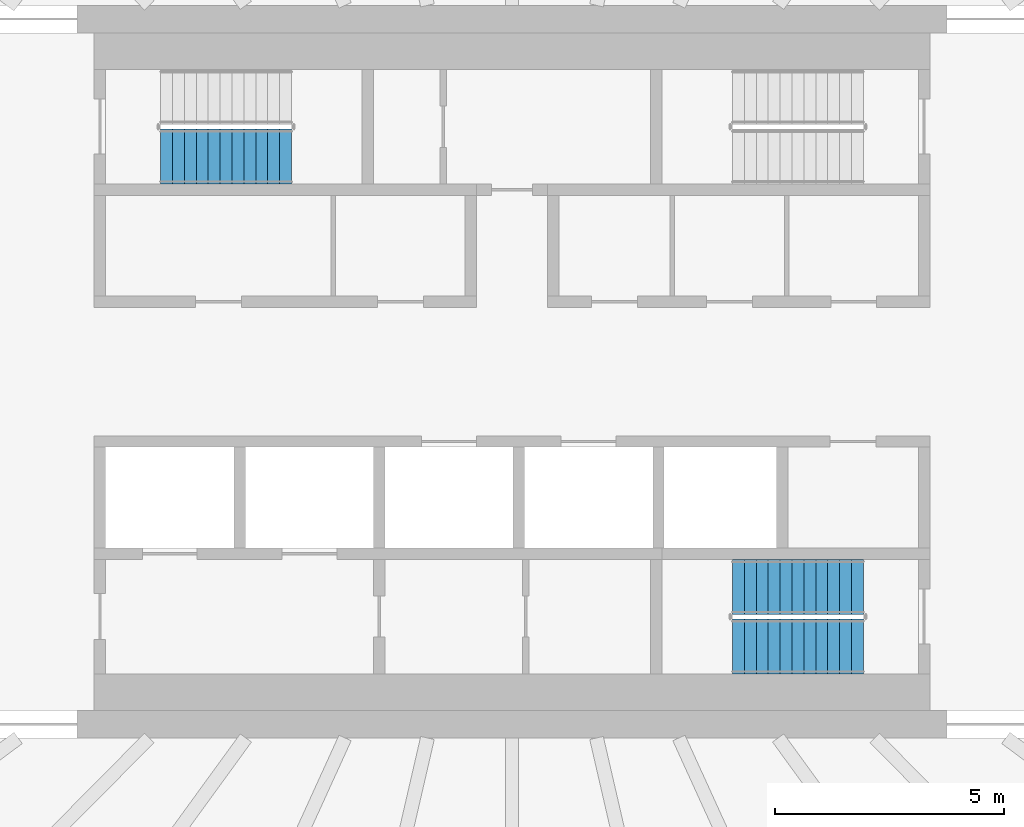
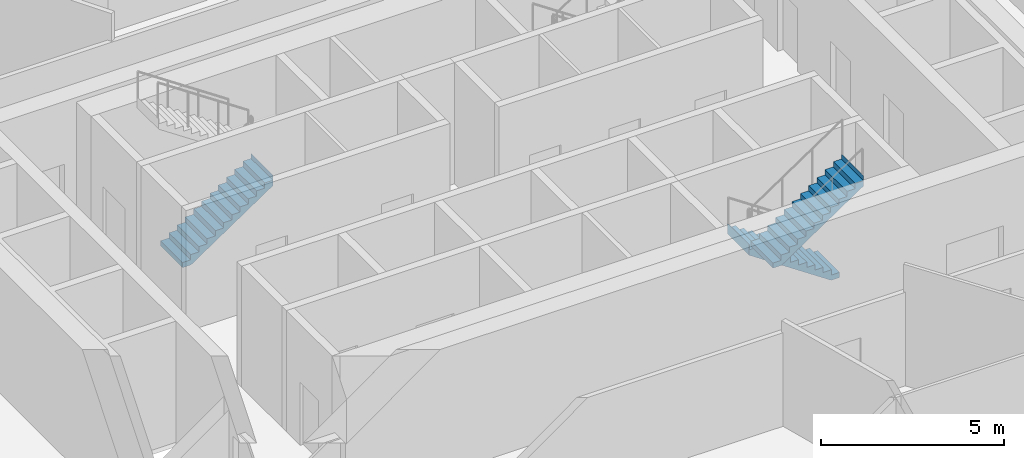
# One storey, part 17 of 24: 3 stair flights, 2 elements without a shape of their own.
"""IFC4 building model written with IfcOpenShell, lengths in metres."""

from ifc_helpers import new_model, si_unit, direction, frame, origin, place, context, subcontext, project, spatial, triangles, material, type_object, element, aggregate, save


model = new_model("IFC4")

# Units and contexts
model_context = context("Model", 3, precision=1e-05, world=origin(), true_north=direction((0.0, 1.0)))
body_context = subcontext(model_context, "Body", "Model", "MODEL_VIEW")
ifc_project = project(units=[si_unit("LENGTHUNIT", "METRE"), si_unit("AREAUNIT", "SQUARE_METRE"), si_unit("VOLUMEUNIT", "CUBIC_METRE"), si_unit("PLANEANGLEUNIT", "RADIAN"), si_unit("MASSUNIT", "GRAM", prefix="KILO")], contexts=[model_context])

# Site, building, storey
site_placement = place(None, origin())
site = spatial("IfcSite", under=ifc_project, at=site_placement, CompositionType="ELEMENT")
building_placement = place(site_placement, origin())
building = spatial("IfcBuilding", under=site, at=building_placement, Name="Sahrelin Media Tower", CompositionType="ELEMENT")
storey_placement = place(building_placement, frame((0.0, 0.0, 118.800048828125)))
storey = spatial("IfcBuildingStorey", under=building, at=storey_placement, Name="L23", CompositionType="ELEMENT", Elevation=118.800048828125)

# Stair, stair flight
ifc_material = material(Name="Concrete C40/50", Category="concrete")
stair_type = type_object("IfcStairType", Name="Exit stair 1200", PredefinedType="HALF_TURN_STAIR", material=ifc_material)
placement = place(storey_placement, origin())
stair_1 = element("IfcStair", 1, at=placement, inside=storey, type_object=stair_type, Name="L23 Exit stair ST1", PredefinedType="HALF_TURN_STAIR")
stair_flight_type = type_object("IfcStairFlightType", Name="Stair flight 1200", PredefinedType="STRAIGHT", material=ifc_material)
stair_flight_1_placement = place(storey_placement, frame((-7.675048828125, 4.699951171875, 0.0), z_axis=(0.0, 0.0, 1.0), x_axis=(1.0, 0.0, 0.0)))
stair_flight_1 = element("IfcStairFlight", 2, at=stair_flight_1_placement, type_object=stair_flight_type, Name="ST1 flight 1", NumberOfRisers=12, NumberOfTreads=11, PredefinedType="STRAIGHT", RiserHeight=0.175, TreadLength=0.26, context=body_context, shape_type="Tessellation", body=[
    triangles([(0.2685546875, 0.60009765625, 0.0), (0.2685546875, 0.300048828125, 0.0), (0.2685546875, 0.0, 0.0), (0.2685546875, -0.300048828125, 0.0), (0.2685546875, -0.60009765625, 0.0), (2.860107421875, 0.60009765625, 1.744384765625), (2.860107421875, 0.300048828125, 1.744384765625), (2.860107421875, 0.0, 1.744384765625), (2.860107421875, -0.300048828125, 1.744384765625), (2.860107421875, -0.60009765625, 1.744384765625), (2.860107421875, 0.60009765625, 2.10009765625), (2.860107421875, 0.300048828125, 2.10009765625), (2.860107421875, 0.0, 2.10009765625), (2.860107421875, -0.300048828125, 2.10009765625), (2.860107421875, -0.60009765625, 2.10009765625), (2.85791015625, 0.60009765625, 2.10009765625), (2.85791015625, 0.300048828125, 2.10009765625), (2.85791015625, 0.0, 2.10009765625), (2.85791015625, -0.300048828125, 2.10009765625), (2.85791015625, -0.60009765625, 2.10009765625), (2.85791015625, 0.60009765625, 1.925048828125), (2.85791015625, 0.300048828125, 1.925048828125), (2.85791015625, 0.0, 1.925048828125), (2.85791015625, -0.300048828125, 1.925048828125), (2.85791015625, -0.60009765625, 1.925048828125), (2.60009765625, 0.60009765625, 1.925048828125), (2.60009765625, 0.300048828125, 1.925048828125), (2.60009765625, 0.0, 1.925048828125), (2.60009765625, -0.300048828125, 1.925048828125), (2.60009765625, -0.60009765625, 1.925048828125), (2.60009765625, 0.60009765625, 1.75), (2.60009765625, 0.300048828125, 1.75), (2.60009765625, 0.0, 1.75), (2.60009765625, -0.300048828125, 1.75), (2.60009765625, -0.60009765625, 1.75), (2.340087890625, 0.60009765625, 1.75), (2.340087890625, 0.300048828125, 1.75), (2.340087890625, 0.0, 1.75), (2.340087890625, -0.300048828125, 1.75), (2.340087890625, -0.60009765625, 1.75), (2.340087890625, 0.60009765625, 1.574951171875), (2.340087890625, 0.300048828125, 1.574951171875), (2.340087890625, 0.0, 1.574951171875), (2.340087890625, -0.300048828125, 1.574951171875), (2.340087890625, -0.60009765625, 1.574951171875), (2.080078125, 0.60009765625, 1.574951171875), (2.080078125, 0.300048828125, 1.574951171875), (2.080078125, 0.0, 1.574951171875), (2.080078125, -0.300048828125, 1.574951171875), (2.080078125, -0.60009765625, 1.574951171875), (2.080078125, 0.60009765625, 1.39990234375), (2.080078125, 0.300048828125, 1.39990234375), (2.080078125, 0.0, 1.39990234375), (2.080078125, -0.300048828125, 1.39990234375), (2.080078125, -0.60009765625, 1.39990234375), (1.820068359375, 0.60009765625, 1.39990234375), (1.820068359375, 0.300048828125, 1.39990234375), (1.820068359375, 0.0, 1.39990234375), (1.820068359375, -0.300048828125, 1.39990234375), (1.820068359375, -0.60009765625, 1.39990234375), (1.820068359375, 0.60009765625, 1.22509765625), (1.820068359375, 0.300048828125, 1.22509765625), (1.820068359375, 0.0, 1.22509765625), (1.820068359375, -0.300048828125, 1.22509765625), (1.820068359375, -0.60009765625, 1.22509765625), (1.56005859375, 0.60009765625, 1.22509765625), (1.56005859375, 0.300048828125, 1.22509765625), (1.56005859375, 0.0, 1.22509765625), (1.56005859375, -0.300048828125, 1.22509765625), (1.56005859375, -0.60009765625, 1.22509765625), (1.56005859375, 0.60009765625, 1.050048828125), (1.56005859375, 0.300048828125, 1.050048828125), (1.56005859375, 0.0, 1.050048828125), (1.56005859375, -0.300048828125, 1.050048828125), (1.56005859375, -0.60009765625, 1.050048828125), (1.300048828125, 0.60009765625, 1.050048828125), (1.300048828125, 0.300048828125, 1.050048828125), (1.300048828125, 0.0, 1.050048828125), (1.300048828125, -0.300048828125, 1.050048828125), (1.300048828125, -0.60009765625, 1.050048828125), (1.300048828125, 0.60009765625, 0.875), (1.300048828125, 0.300048828125, 0.875), (1.300048828125, 0.0, 0.875), (1.300048828125, -0.300048828125, 0.875), (1.300048828125, -0.60009765625, 0.875), (1.0400390625, 0.60009765625, 0.875), (1.0400390625, 0.300048828125, 0.875), (1.0400390625, 0.0, 0.875), (1.0400390625, -0.300048828125, 0.875), (1.0400390625, -0.60009765625, 0.875), (1.0400390625, 0.60009765625, 0.699951171875), (1.0400390625, 0.300048828125, 0.699951171875), (1.0400390625, 0.0, 0.699951171875), (1.0400390625, -0.300048828125, 0.699951171875), (1.0400390625, -0.60009765625, 0.699951171875), (0.780029296875, 0.60009765625, 0.699951171875), (0.780029296875, 0.300048828125, 0.699951171875), (0.780029296875, 0.0, 0.699951171875), (0.780029296875, -0.300048828125, 0.699951171875), (0.780029296875, -0.60009765625, 0.699951171875), (0.780029296875, 0.60009765625, 0.52490234375), (0.780029296875, 0.300048828125, 0.52490234375), (0.780029296875, 0.0, 0.52490234375), (0.780029296875, -0.300048828125, 0.52490234375), (0.780029296875, -0.60009765625, 0.52490234375), (0.52001953125, 0.60009765625, 0.52490234375), (0.52001953125, 0.300048828125, 0.52490234375), (0.52001953125, 0.0, 0.52490234375), (0.52001953125, -0.300048828125, 0.52490234375), (0.52001953125, -0.60009765625, 0.52490234375), (0.52001953125, 0.60009765625, 0.35009765625), (0.52001953125, 0.300048828125, 0.35009765625), (0.52001953125, 0.0, 0.35009765625), (0.52001953125, -0.300048828125, 0.35009765625), (0.52001953125, -0.60009765625, 0.35009765625), (0.260009765625, 0.60009765625, 0.35009765625), (0.260009765625, 0.300048828125, 0.35009765625), (0.260009765625, 0.0, 0.35009765625), (0.260009765625, -0.300048828125, 0.35009765625), (0.260009765625, -0.60009765625, 0.35009765625), (0.260009765625, 0.60009765625, 0.175048828125), (0.260009765625, 0.300048828125, 0.175048828125), (0.260009765625, 0.0, 0.175048828125), (0.260009765625, -0.300048828125, 0.175048828125), (0.260009765625, -0.60009765625, 0.175048828125), (0.0, 0.60009765625, 0.175048828125), (0.0, 0.300048828125, 0.175048828125), (0.0, 0.0, 0.175048828125), (0.0, -0.300048828125, 0.175048828125), (0.0, -0.60009765625, 0.175048828125), (0.0, 0.60009765625, 0.0), (0.0, 0.300048828125, 0.0), (0.0, 0.0, 0.0), (0.0, -0.300048828125, 0.0), (0.0, -0.60009765625, 0.0)], [[1, 6, 7], [1, 7, 2], [2, 7, 8], [2, 8, 3], [3, 8, 9], [3, 9, 4], [4, 9, 10], [4, 10, 5], [6, 11, 12], [6, 12, 7], [7, 12, 13], [7, 13, 8], [8, 13, 14], [8, 14, 9], [9, 14, 15], [9, 15, 10], [11, 16, 17], [11, 17, 12], [12, 17, 18], [12, 18, 13], [13, 18, 19], [13, 19, 14], [14, 19, 20], [14, 20, 15], [16, 21, 22], [16, 22, 17], [17, 22, 23], [17, 23, 18], [18, 23, 24], [18, 24, 19], [19, 24, 25], [19, 25, 20], [21, 26, 27], [21, 27, 22], [22, 27, 28], [22, 28, 23], [23, 28, 29], [23, 29, 24], [24, 29, 30], [24, 30, 25], [26, 31, 32], [26, 32, 27], [27, 32, 33], [27, 33, 28], [28, 33, 34], [28, 34, 29], [29, 34, 35], [29, 35, 30], [31, 36, 37], [31, 37, 32], [32, 37, 38], [32, 38, 33], [33, 38, 39], [33, 39, 34], [34, 39, 40], [34, 40, 35], [36, 41, 42], [36, 42, 37], [37, 42, 43], [37, 43, 38], [38, 43, 44], [38, 44, 39], [39, 44, 45], [39, 45, 40], [41, 46, 47], [41, 47, 42], [42, 47, 48], [42, 48, 43], [43, 48, 49], [43, 49, 44], [44, 49, 50], [44, 50, 45], [46, 51, 52], [46, 52, 47], [47, 52, 53], [47, 53, 48], [48, 53, 54], [48, 54, 49], [49, 54, 55], [49, 55, 50], [51, 56, 57], [51, 57, 52], [52, 57, 58], [52, 58, 53], [53, 58, 59], [53, 59, 54], [54, 59, 60], [54, 60, 55], [56, 61, 62], [56, 62, 57], [57, 62, 63], [57, 63, 58], [58, 63, 64], [58, 64, 59], [59, 64, 65], [59, 65, 60], [61, 66, 67], [61, 67, 62], [62, 67, 68], [62, 68, 63], [63, 68, 69], [63, 69, 64], [64, 69, 70], [64, 70, 65], [66, 71, 72], [66, 72, 67], [67, 72, 73], [67, 73, 68], [68, 73, 74], [68, 74, 69], [69, 74, 75], [69, 75, 70], [71, 76, 77], [71, 77, 72], [72, 77, 78], [72, 78, 73], [73, 78, 79], [73, 79, 74], [74, 79, 80], [74, 80, 75], [76, 81, 82], [76, 82, 77], [77, 82, 83], [77, 83, 78], [78, 83, 84], [78, 84, 79], [79, 84, 85], [79, 85, 80], [81, 86, 87], [81, 87, 82], [82, 87, 88], [82, 88, 83], [83, 88, 89], [83, 89, 84], [84, 89, 90], [84, 90, 85], [86, 91, 92], [86, 92, 87], [87, 92, 93], [87, 93, 88], [88, 93, 94], [88, 94, 89], [89, 94, 95], [89, 95, 90], [91, 96, 97], [91, 97, 92], [92, 97, 98], [92, 98, 93], [93, 98, 99], [93, 99, 94], [94, 99, 100], [94, 100, 95], [96, 101, 102], [96, 102, 97], [97, 102, 103], [97, 103, 98], [98, 103, 104], [98, 104, 99], [99, 104, 105], [99, 105, 100], [101, 106, 107], [101, 107, 102], [102, 107, 108], [102, 108, 103], [103, 108, 109], [103, 109, 104], [104, 109, 110], [104, 110, 105], [106, 111, 112], [106, 112, 107], [107, 112, 113], [107, 113, 108], [108, 113, 114], [108, 114, 109], [109, 114, 115], [109, 115, 110], [111, 116, 117], [111, 117, 112], [112, 117, 118], [112, 118, 113], [113, 118, 119], [113, 119, 114], [114, 119, 120], [114, 120, 115], [116, 121, 122], [116, 122, 117], [117, 122, 123], [117, 123, 118], [118, 123, 124], [118, 124, 119], [119, 124, 125], [119, 125, 120], [121, 126, 127], [121, 127, 122], [122, 127, 128], [122, 128, 123], [123, 128, 129], [123, 129, 124], [124, 129, 130], [124, 130, 125], [126, 131, 132], [126, 132, 127], [127, 132, 133], [127, 133, 128], [128, 133, 134], [128, 134, 129], [129, 134, 135], [129, 135, 130], [131, 1, 2], [131, 2, 132], [132, 2, 3], [132, 3, 133], [133, 3, 4], [133, 4, 134], [134, 4, 5], [134, 5, 135], [125, 130, 135], [121, 131, 126], [125, 115, 120], [121, 116, 111], [115, 105, 110], [111, 106, 101], [105, 95, 100], [101, 96, 91], [95, 85, 90], [91, 86, 81], [85, 75, 80], [81, 76, 71], [75, 65, 70], [71, 66, 61], [65, 55, 60], [61, 56, 51], [55, 45, 50], [51, 46, 41], [45, 35, 40], [41, 36, 31], [35, 25, 30], [31, 26, 21], [25, 15, 20], [21, 16, 11], [135, 5, 125], [131, 121, 1], [95, 105, 5], [91, 1, 101], [5, 10, 75], [1, 71, 6], [10, 35, 45], [6, 41, 31], [25, 10, 15], [21, 11, 6], [115, 125, 5], [111, 1, 121], [75, 85, 5], [71, 1, 81], [35, 10, 25], [31, 21, 6], [105, 115, 5], [101, 1, 111], [45, 55, 10], [41, 6, 51], [85, 95, 5], [81, 1, 91], [65, 10, 55], [61, 51, 6], [10, 65, 75], [6, 71, 61]], closed=True),
])
aggregate(stair_1, [stair_flight_1])

# Stair, stair flights
stair_2 = element("IfcStair", 3, at=placement, inside=storey, type_object=stair_type, Name="L23 Exit stair ST2", PredefinedType="HALF_TURN_STAIR")
stair_flight_2_placement = place(storey_placement, frame((7.675048828125, -4.699951171875, 0.0), z_axis=(0.0, 0.0, 1.0), x_axis=(-1.0, 0.0, 0.0)))
stair_flight_2 = element("IfcStairFlight", 4, at=stair_flight_2_placement, type_object=stair_flight_type, Name="ST2 flight 1", NumberOfRisers=12, NumberOfTreads=11, PredefinedType="STRAIGHT", RiserHeight=0.175, TreadLength=0.26, context=body_context, shape_type="Tessellation", body=[
    triangles([(0.2685546875, 0.60009765625, 0.0), (0.2685546875, 0.300048828125, 0.0), (0.2685546875, 0.0, 0.0), (0.2685546875, -0.300048828125, 0.0), (0.2685546875, -0.60009765625, 0.0), (2.860107421875, 0.60009765625, 1.744384765625), (2.860107421875, 0.300048828125, 1.744384765625), (2.860107421875, 0.0, 1.744384765625), (2.860107421875, -0.300048828125, 1.744384765625), (2.860107421875, -0.60009765625, 1.744384765625), (2.860107421875, 0.60009765625, 2.10009765625), (2.860107421875, 0.300048828125, 2.10009765625), (2.860107421875, 0.0, 2.10009765625), (2.860107421875, -0.300048828125, 2.10009765625), (2.860107421875, -0.60009765625, 2.10009765625), (2.85791015625, 0.60009765625, 2.10009765625), (2.85791015625, 0.300048828125, 2.10009765625), (2.85791015625, 0.0, 2.10009765625), (2.85791015625, -0.300048828125, 2.10009765625), (2.85791015625, -0.60009765625, 2.10009765625), (2.85791015625, 0.60009765625, 1.925048828125), (2.85791015625, 0.300048828125, 1.925048828125), (2.85791015625, 0.0, 1.925048828125), (2.85791015625, -0.300048828125, 1.925048828125), (2.85791015625, -0.60009765625, 1.925048828125), (2.60009765625, 0.60009765625, 1.925048828125), (2.60009765625, 0.300048828125, 1.925048828125), (2.60009765625, 0.0, 1.925048828125), (2.60009765625, -0.300048828125, 1.925048828125), (2.60009765625, -0.60009765625, 1.925048828125), (2.60009765625, 0.60009765625, 1.75), (2.60009765625, 0.300048828125, 1.75), (2.60009765625, 0.0, 1.75), (2.60009765625, -0.300048828125, 1.75), (2.60009765625, -0.60009765625, 1.75), (2.340087890625, 0.60009765625, 1.75), (2.340087890625, 0.300048828125, 1.75), (2.340087890625, 0.0, 1.75), (2.340087890625, -0.300048828125, 1.75), (2.340087890625, -0.60009765625, 1.75), (2.340087890625, 0.60009765625, 1.574951171875), (2.340087890625, 0.300048828125, 1.574951171875), (2.340087890625, 0.0, 1.574951171875), (2.340087890625, -0.300048828125, 1.574951171875), (2.340087890625, -0.60009765625, 1.574951171875), (2.080078125, 0.60009765625, 1.574951171875), (2.080078125, 0.300048828125, 1.574951171875), (2.080078125, 0.0, 1.574951171875), (2.080078125, -0.300048828125, 1.574951171875), (2.080078125, -0.60009765625, 1.574951171875), (2.080078125, 0.60009765625, 1.39990234375), (2.080078125, 0.300048828125, 1.39990234375), (2.080078125, 0.0, 1.39990234375), (2.080078125, -0.300048828125, 1.39990234375), (2.080078125, -0.60009765625, 1.39990234375), (1.820068359375, 0.60009765625, 1.39990234375), (1.820068359375, 0.300048828125, 1.39990234375), (1.820068359375, 0.0, 1.39990234375), (1.820068359375, -0.300048828125, 1.39990234375), (1.820068359375, -0.60009765625, 1.39990234375), (1.820068359375, 0.60009765625, 1.22509765625), (1.820068359375, 0.300048828125, 1.22509765625), (1.820068359375, 0.0, 1.22509765625), (1.820068359375, -0.300048828125, 1.22509765625), (1.820068359375, -0.60009765625, 1.22509765625), (1.56005859375, 0.60009765625, 1.22509765625), (1.56005859375, 0.300048828125, 1.22509765625), (1.56005859375, 0.0, 1.22509765625), (1.56005859375, -0.300048828125, 1.22509765625), (1.56005859375, -0.60009765625, 1.22509765625), (1.56005859375, 0.60009765625, 1.050048828125), (1.56005859375, 0.300048828125, 1.050048828125), (1.56005859375, 0.0, 1.050048828125), (1.56005859375, -0.300048828125, 1.050048828125), (1.56005859375, -0.60009765625, 1.050048828125), (1.300048828125, 0.60009765625, 1.050048828125), (1.300048828125, 0.300048828125, 1.050048828125), (1.300048828125, 0.0, 1.050048828125), (1.300048828125, -0.300048828125, 1.050048828125), (1.300048828125, -0.60009765625, 1.050048828125), (1.300048828125, 0.60009765625, 0.875), (1.300048828125, 0.300048828125, 0.875), (1.300048828125, 0.0, 0.875), (1.300048828125, -0.300048828125, 0.875), (1.300048828125, -0.60009765625, 0.875), (1.0400390625, 0.60009765625, 0.875), (1.0400390625, 0.300048828125, 0.875), (1.0400390625, 0.0, 0.875), (1.0400390625, -0.300048828125, 0.875), (1.0400390625, -0.60009765625, 0.875), (1.0400390625, 0.60009765625, 0.699951171875), (1.0400390625, 0.300048828125, 0.699951171875), (1.0400390625, 0.0, 0.699951171875), (1.0400390625, -0.300048828125, 0.699951171875), (1.0400390625, -0.60009765625, 0.699951171875), (0.780029296875, 0.60009765625, 0.699951171875), (0.780029296875, 0.300048828125, 0.699951171875), (0.780029296875, 0.0, 0.699951171875), (0.780029296875, -0.300048828125, 0.699951171875), (0.780029296875, -0.60009765625, 0.699951171875), (0.780029296875, 0.60009765625, 0.52490234375), (0.780029296875, 0.300048828125, 0.52490234375), (0.780029296875, 0.0, 0.52490234375), (0.780029296875, -0.300048828125, 0.52490234375), (0.780029296875, -0.60009765625, 0.52490234375), (0.52001953125, 0.60009765625, 0.52490234375), (0.52001953125, 0.300048828125, 0.52490234375), (0.52001953125, 0.0, 0.52490234375), (0.52001953125, -0.300048828125, 0.52490234375), (0.52001953125, -0.60009765625, 0.52490234375), (0.52001953125, 0.60009765625, 0.35009765625), (0.52001953125, 0.300048828125, 0.35009765625), (0.52001953125, 0.0, 0.35009765625), (0.52001953125, -0.300048828125, 0.35009765625), (0.52001953125, -0.60009765625, 0.35009765625), (0.260009765625, 0.60009765625, 0.35009765625), (0.260009765625, 0.300048828125, 0.35009765625), (0.260009765625, 0.0, 0.35009765625), (0.260009765625, -0.300048828125, 0.35009765625), (0.260009765625, -0.60009765625, 0.35009765625), (0.260009765625, 0.60009765625, 0.175048828125), (0.260009765625, 0.300048828125, 0.175048828125), (0.260009765625, 0.0, 0.175048828125), (0.260009765625, -0.300048828125, 0.175048828125), (0.260009765625, -0.60009765625, 0.175048828125), (0.0, 0.60009765625, 0.175048828125), (0.0, 0.300048828125, 0.175048828125), (0.0, 0.0, 0.175048828125), (0.0, -0.300048828125, 0.175048828125), (0.0, -0.60009765625, 0.175048828125), (0.0, 0.60009765625, 0.0), (0.0, 0.300048828125, 0.0), (0.0, 0.0, 0.0), (0.0, -0.300048828125, 0.0), (0.0, -0.60009765625, 0.0)], [[1, 6, 7], [1, 7, 2], [2, 7, 8], [2, 8, 3], [3, 8, 9], [3, 9, 4], [4, 9, 10], [4, 10, 5], [6, 11, 12], [6, 12, 7], [7, 12, 13], [7, 13, 8], [8, 13, 14], [8, 14, 9], [9, 14, 15], [9, 15, 10], [11, 16, 17], [11, 17, 12], [12, 17, 18], [12, 18, 13], [13, 18, 19], [13, 19, 14], [14, 19, 20], [14, 20, 15], [16, 21, 22], [16, 22, 17], [17, 22, 23], [17, 23, 18], [18, 23, 24], [18, 24, 19], [19, 24, 25], [19, 25, 20], [21, 26, 27], [21, 27, 22], [22, 27, 28], [22, 28, 23], [23, 28, 29], [23, 29, 24], [24, 29, 30], [24, 30, 25], [26, 31, 32], [26, 32, 27], [27, 32, 33], [27, 33, 28], [28, 33, 34], [28, 34, 29], [29, 34, 35], [29, 35, 30], [31, 36, 37], [31, 37, 32], [32, 37, 38], [32, 38, 33], [33, 38, 39], [33, 39, 34], [34, 39, 40], [34, 40, 35], [36, 41, 42], [36, 42, 37], [37, 42, 43], [37, 43, 38], [38, 43, 44], [38, 44, 39], [39, 44, 45], [39, 45, 40], [41, 46, 47], [41, 47, 42], [42, 47, 48], [42, 48, 43], [43, 48, 49], [43, 49, 44], [44, 49, 50], [44, 50, 45], [46, 51, 52], [46, 52, 47], [47, 52, 53], [47, 53, 48], [48, 53, 54], [48, 54, 49], [49, 54, 55], [49, 55, 50], [51, 56, 57], [51, 57, 52], [52, 57, 58], [52, 58, 53], [53, 58, 59], [53, 59, 54], [54, 59, 60], [54, 60, 55], [56, 61, 62], [56, 62, 57], [57, 62, 63], [57, 63, 58], [58, 63, 64], [58, 64, 59], [59, 64, 65], [59, 65, 60], [61, 66, 67], [61, 67, 62], [62, 67, 68], [62, 68, 63], [63, 68, 69], [63, 69, 64], [64, 69, 70], [64, 70, 65], [66, 71, 72], [66, 72, 67], [67, 72, 73], [67, 73, 68], [68, 73, 74], [68, 74, 69], [69, 74, 75], [69, 75, 70], [71, 76, 77], [71, 77, 72], [72, 77, 78], [72, 78, 73], [73, 78, 79], [73, 79, 74], [74, 79, 80], [74, 80, 75], [76, 81, 82], [76, 82, 77], [77, 82, 83], [77, 83, 78], [78, 83, 84], [78, 84, 79], [79, 84, 85], [79, 85, 80], [81, 86, 87], [81, 87, 82], [82, 87, 88], [82, 88, 83], [83, 88, 89], [83, 89, 84], [84, 89, 90], [84, 90, 85], [86, 91, 92], [86, 92, 87], [87, 92, 93], [87, 93, 88], [88, 93, 94], [88, 94, 89], [89, 94, 95], [89, 95, 90], [91, 96, 97], [91, 97, 92], [92, 97, 98], [92, 98, 93], [93, 98, 99], [93, 99, 94], [94, 99, 100], [94, 100, 95], [96, 101, 102], [96, 102, 97], [97, 102, 103], [97, 103, 98], [98, 103, 104], [98, 104, 99], [99, 104, 105], [99, 105, 100], [101, 106, 107], [101, 107, 102], [102, 107, 108], [102, 108, 103], [103, 108, 109], [103, 109, 104], [104, 109, 110], [104, 110, 105], [106, 111, 112], [106, 112, 107], [107, 112, 113], [107, 113, 108], [108, 113, 114], [108, 114, 109], [109, 114, 115], [109, 115, 110], [111, 116, 117], [111, 117, 112], [112, 117, 118], [112, 118, 113], [113, 118, 119], [113, 119, 114], [114, 119, 120], [114, 120, 115], [116, 121, 122], [116, 122, 117], [117, 122, 123], [117, 123, 118], [118, 123, 124], [118, 124, 119], [119, 124, 125], [119, 125, 120], [121, 126, 127], [121, 127, 122], [122, 127, 128], [122, 128, 123], [123, 128, 129], [123, 129, 124], [124, 129, 130], [124, 130, 125], [126, 131, 132], [126, 132, 127], [127, 132, 133], [127, 133, 128], [128, 133, 134], [128, 134, 129], [129, 134, 135], [129, 135, 130], [131, 1, 2], [131, 2, 132], [132, 2, 3], [132, 3, 133], [133, 3, 4], [133, 4, 134], [134, 4, 5], [134, 5, 135], [125, 130, 135], [121, 131, 126], [125, 115, 120], [121, 116, 111], [115, 105, 110], [111, 106, 101], [105, 95, 100], [101, 96, 91], [95, 85, 90], [91, 86, 81], [85, 75, 80], [81, 76, 71], [75, 65, 70], [71, 66, 61], [65, 55, 60], [61, 56, 51], [55, 45, 50], [51, 46, 41], [45, 35, 40], [41, 36, 31], [35, 25, 30], [31, 26, 21], [25, 15, 20], [21, 16, 11], [135, 5, 125], [131, 121, 1], [95, 105, 5], [91, 1, 101], [5, 10, 75], [1, 71, 6], [10, 35, 45], [6, 41, 31], [25, 10, 15], [21, 11, 6], [115, 125, 5], [111, 1, 121], [75, 85, 5], [71, 1, 81], [35, 10, 25], [31, 21, 6], [105, 115, 5], [101, 1, 111], [45, 55, 10], [41, 6, 51], [85, 95, 5], [81, 1, 91], [65, 10, 55], [61, 51, 6], [10, 65, 75], [6, 71, 61]], closed=True),
])
stair_flight_3_placement = place(storey_placement, frame((4.81494140625, -6.0, 2.099853515625), z_axis=(0.0, 0.0, 1.0), x_axis=(1.0, 0.0, 0.0)))
stair_flight_3 = element("IfcStairFlight", 5, at=stair_flight_3_placement, type_object=stair_flight_type, Name="ST2 flight 2", NumberOfRisers=12, NumberOfTreads=11, PredefinedType="STRAIGHT", RiserHeight=0.175, TreadLength=0.26, context=body_context, shape_type="Tessellation", body=[
    triangles([(0.2685546875, 0.60009765625, 0.0), (0.2685546875, 0.300048828125, 0.0), (0.2685546875, 0.0, 0.0), (0.2685546875, -0.300048828125, 0.0), (0.2685546875, -0.60009765625, 0.0), (2.860107421875, 0.60009765625, 1.744384765625), (2.860107421875, 0.300048828125, 1.744384765625), (2.860107421875, 0.0, 1.744384765625), (2.860107421875, -0.300048828125, 1.744384765625), (2.860107421875, -0.60009765625, 1.744384765625), (2.860107421875, 0.60009765625, 2.10009765625), (2.860107421875, 0.300048828125, 2.10009765625), (2.860107421875, 0.0, 2.10009765625), (2.860107421875, -0.300048828125, 2.10009765625), (2.860107421875, -0.60009765625, 2.10009765625), (2.85791015625, 0.60009765625, 2.10009765625), (2.85791015625, 0.300048828125, 2.10009765625), (2.85791015625, 0.0, 2.10009765625), (2.85791015625, -0.300048828125, 2.10009765625), (2.85791015625, -0.60009765625, 2.10009765625), (2.85791015625, 0.60009765625, 1.925048828125), (2.85791015625, 0.300048828125, 1.925048828125), (2.85791015625, 0.0, 1.925048828125), (2.85791015625, -0.300048828125, 1.925048828125), (2.85791015625, -0.60009765625, 1.925048828125), (2.60009765625, 0.60009765625, 1.925048828125), (2.60009765625, 0.300048828125, 1.925048828125), (2.60009765625, 0.0, 1.925048828125), (2.60009765625, -0.300048828125, 1.925048828125), (2.60009765625, -0.60009765625, 1.925048828125), (2.60009765625, 0.60009765625, 1.75), (2.60009765625, 0.300048828125, 1.75), (2.60009765625, 0.0, 1.75), (2.60009765625, -0.300048828125, 1.75), (2.60009765625, -0.60009765625, 1.75), (2.340087890625, 0.60009765625, 1.75), (2.340087890625, 0.300048828125, 1.75), (2.340087890625, 0.0, 1.75), (2.340087890625, -0.300048828125, 1.75), (2.340087890625, -0.60009765625, 1.75), (2.340087890625, 0.60009765625, 1.574951171875), (2.340087890625, 0.300048828125, 1.574951171875), (2.340087890625, 0.0, 1.574951171875), (2.340087890625, -0.300048828125, 1.574951171875), (2.340087890625, -0.60009765625, 1.574951171875), (2.080078125, 0.60009765625, 1.574951171875), (2.080078125, 0.300048828125, 1.574951171875), (2.080078125, 0.0, 1.574951171875), (2.080078125, -0.300048828125, 1.574951171875), (2.080078125, -0.60009765625, 1.574951171875), (2.080078125, 0.60009765625, 1.39990234375), (2.080078125, 0.300048828125, 1.39990234375), (2.080078125, 0.0, 1.39990234375), (2.080078125, -0.300048828125, 1.39990234375), (2.080078125, -0.60009765625, 1.39990234375), (1.820068359375, 0.60009765625, 1.39990234375), (1.820068359375, 0.300048828125, 1.39990234375), (1.820068359375, 0.0, 1.39990234375), (1.820068359375, -0.300048828125, 1.39990234375), (1.820068359375, -0.60009765625, 1.39990234375), (1.820068359375, 0.60009765625, 1.22509765625), (1.820068359375, 0.300048828125, 1.22509765625), (1.820068359375, 0.0, 1.22509765625), (1.820068359375, -0.300048828125, 1.22509765625), (1.820068359375, -0.60009765625, 1.22509765625), (1.56005859375, 0.60009765625, 1.22509765625), (1.56005859375, 0.300048828125, 1.22509765625), (1.56005859375, 0.0, 1.22509765625), (1.56005859375, -0.300048828125, 1.22509765625), (1.56005859375, -0.60009765625, 1.22509765625), (1.56005859375, 0.60009765625, 1.050048828125), (1.56005859375, 0.300048828125, 1.050048828125), (1.56005859375, 0.0, 1.050048828125), (1.56005859375, -0.300048828125, 1.050048828125), (1.56005859375, -0.60009765625, 1.050048828125), (1.300048828125, 0.60009765625, 1.050048828125), (1.300048828125, 0.300048828125, 1.050048828125), (1.300048828125, 0.0, 1.050048828125), (1.300048828125, -0.300048828125, 1.050048828125), (1.300048828125, -0.60009765625, 1.050048828125), (1.300048828125, 0.60009765625, 0.875), (1.300048828125, 0.300048828125, 0.875), (1.300048828125, 0.0, 0.875), (1.300048828125, -0.300048828125, 0.875), (1.300048828125, -0.60009765625, 0.875), (1.0400390625, 0.60009765625, 0.875), (1.0400390625, 0.300048828125, 0.875), (1.0400390625, 0.0, 0.875), (1.0400390625, -0.300048828125, 0.875), (1.0400390625, -0.60009765625, 0.875), (1.0400390625, 0.60009765625, 0.699951171875), (1.0400390625, 0.300048828125, 0.699951171875), (1.0400390625, 0.0, 0.699951171875), (1.0400390625, -0.300048828125, 0.699951171875), (1.0400390625, -0.60009765625, 0.699951171875), (0.780029296875, 0.60009765625, 0.699951171875), (0.780029296875, 0.300048828125, 0.699951171875), (0.780029296875, 0.0, 0.699951171875), (0.780029296875, -0.300048828125, 0.699951171875), (0.780029296875, -0.60009765625, 0.699951171875), (0.780029296875, 0.60009765625, 0.52490234375), (0.780029296875, 0.300048828125, 0.52490234375), (0.780029296875, 0.0, 0.52490234375), (0.780029296875, -0.300048828125, 0.52490234375), (0.780029296875, -0.60009765625, 0.52490234375), (0.52001953125, 0.60009765625, 0.52490234375), (0.52001953125, 0.300048828125, 0.52490234375), (0.52001953125, 0.0, 0.52490234375), (0.52001953125, -0.300048828125, 0.52490234375), (0.52001953125, -0.60009765625, 0.52490234375), (0.52001953125, 0.60009765625, 0.35009765625), (0.52001953125, 0.300048828125, 0.35009765625), (0.52001953125, 0.0, 0.35009765625), (0.52001953125, -0.300048828125, 0.35009765625), (0.52001953125, -0.60009765625, 0.35009765625), (0.260009765625, 0.60009765625, 0.35009765625), (0.260009765625, 0.300048828125, 0.35009765625), (0.260009765625, 0.0, 0.35009765625), (0.260009765625, -0.300048828125, 0.35009765625), (0.260009765625, -0.60009765625, 0.35009765625), (0.260009765625, 0.60009765625, 0.175048828125), (0.260009765625, 0.300048828125, 0.175048828125), (0.260009765625, 0.0, 0.175048828125), (0.260009765625, -0.300048828125, 0.175048828125), (0.260009765625, -0.60009765625, 0.175048828125), (0.0, 0.60009765625, 0.175048828125), (0.0, 0.300048828125, 0.175048828125), (0.0, 0.0, 0.175048828125), (0.0, -0.300048828125, 0.175048828125), (0.0, -0.60009765625, 0.175048828125), (0.0, 0.60009765625, 0.0), (0.0, 0.300048828125, 0.0), (0.0, 0.0, 0.0), (0.0, -0.300048828125, 0.0), (0.0, -0.60009765625, 0.0)], [[1, 6, 7], [1, 7, 2], [2, 7, 8], [2, 8, 3], [3, 8, 9], [3, 9, 4], [4, 9, 10], [4, 10, 5], [6, 11, 12], [6, 12, 7], [7, 12, 13], [7, 13, 8], [8, 13, 14], [8, 14, 9], [9, 14, 15], [9, 15, 10], [11, 16, 17], [11, 17, 12], [12, 17, 18], [12, 18, 13], [13, 18, 19], [13, 19, 14], [14, 19, 20], [14, 20, 15], [16, 21, 22], [16, 22, 17], [17, 22, 23], [17, 23, 18], [18, 23, 24], [18, 24, 19], [19, 24, 25], [19, 25, 20], [21, 26, 27], [21, 27, 22], [22, 27, 28], [22, 28, 23], [23, 28, 29], [23, 29, 24], [24, 29, 30], [24, 30, 25], [26, 31, 32], [26, 32, 27], [27, 32, 33], [27, 33, 28], [28, 33, 34], [28, 34, 29], [29, 34, 35], [29, 35, 30], [31, 36, 37], [31, 37, 32], [32, 37, 38], [32, 38, 33], [33, 38, 39], [33, 39, 34], [34, 39, 40], [34, 40, 35], [36, 41, 42], [36, 42, 37], [37, 42, 43], [37, 43, 38], [38, 43, 44], [38, 44, 39], [39, 44, 45], [39, 45, 40], [41, 46, 47], [41, 47, 42], [42, 47, 48], [42, 48, 43], [43, 48, 49], [43, 49, 44], [44, 49, 50], [44, 50, 45], [46, 51, 52], [46, 52, 47], [47, 52, 53], [47, 53, 48], [48, 53, 54], [48, 54, 49], [49, 54, 55], [49, 55, 50], [51, 56, 57], [51, 57, 52], [52, 57, 58], [52, 58, 53], [53, 58, 59], [53, 59, 54], [54, 59, 60], [54, 60, 55], [56, 61, 62], [56, 62, 57], [57, 62, 63], [57, 63, 58], [58, 63, 64], [58, 64, 59], [59, 64, 65], [59, 65, 60], [61, 66, 67], [61, 67, 62], [62, 67, 68], [62, 68, 63], [63, 68, 69], [63, 69, 64], [64, 69, 70], [64, 70, 65], [66, 71, 72], [66, 72, 67], [67, 72, 73], [67, 73, 68], [68, 73, 74], [68, 74, 69], [69, 74, 75], [69, 75, 70], [71, 76, 77], [71, 77, 72], [72, 77, 78], [72, 78, 73], [73, 78, 79], [73, 79, 74], [74, 79, 80], [74, 80, 75], [76, 81, 82], [76, 82, 77], [77, 82, 83], [77, 83, 78], [78, 83, 84], [78, 84, 79], [79, 84, 85], [79, 85, 80], [81, 86, 87], [81, 87, 82], [82, 87, 88], [82, 88, 83], [83, 88, 89], [83, 89, 84], [84, 89, 90], [84, 90, 85], [86, 91, 92], [86, 92, 87], [87, 92, 93], [87, 93, 88], [88, 93, 94], [88, 94, 89], [89, 94, 95], [89, 95, 90], [91, 96, 97], [91, 97, 92], [92, 97, 98], [92, 98, 93], [93, 98, 99], [93, 99, 94], [94, 99, 100], [94, 100, 95], [96, 101, 102], [96, 102, 97], [97, 102, 103], [97, 103, 98], [98, 103, 104], [98, 104, 99], [99, 104, 105], [99, 105, 100], [101, 106, 107], [101, 107, 102], [102, 107, 108], [102, 108, 103], [103, 108, 109], [103, 109, 104], [104, 109, 110], [104, 110, 105], [106, 111, 112], [106, 112, 107], [107, 112, 113], [107, 113, 108], [108, 113, 114], [108, 114, 109], [109, 114, 115], [109, 115, 110], [111, 116, 117], [111, 117, 112], [112, 117, 118], [112, 118, 113], [113, 118, 119], [113, 119, 114], [114, 119, 120], [114, 120, 115], [116, 121, 122], [116, 122, 117], [117, 122, 123], [117, 123, 118], [118, 123, 124], [118, 124, 119], [119, 124, 125], [119, 125, 120], [121, 126, 127], [121, 127, 122], [122, 127, 128], [122, 128, 123], [123, 128, 129], [123, 129, 124], [124, 129, 130], [124, 130, 125], [126, 131, 132], [126, 132, 127], [127, 132, 133], [127, 133, 128], [128, 133, 134], [128, 134, 129], [129, 134, 135], [129, 135, 130], [131, 1, 2], [131, 2, 132], [132, 2, 3], [132, 3, 133], [133, 3, 4], [133, 4, 134], [134, 4, 5], [134, 5, 135], [125, 130, 135], [121, 131, 126], [125, 115, 120], [121, 116, 111], [115, 105, 110], [111, 106, 101], [105, 95, 100], [101, 96, 91], [95, 85, 90], [91, 86, 81], [85, 75, 80], [81, 76, 71], [75, 65, 70], [71, 66, 61], [65, 55, 60], [61, 56, 51], [55, 45, 50], [51, 46, 41], [45, 35, 40], [41, 36, 31], [35, 25, 30], [31, 26, 21], [25, 15, 20], [21, 16, 11], [135, 5, 125], [131, 121, 1], [95, 105, 5], [91, 1, 101], [5, 10, 75], [1, 71, 6], [10, 35, 45], [6, 41, 31], [25, 10, 15], [21, 11, 6], [115, 125, 5], [111, 1, 121], [75, 85, 5], [71, 1, 81], [35, 10, 25], [31, 21, 6], [105, 115, 5], [101, 1, 111], [45, 55, 10], [41, 6, 51], [85, 95, 5], [81, 1, 91], [65, 10, 55], [61, 51, 6], [10, 65, 75], [6, 71, 61]], closed=True),
])
aggregate(stair_2, [stair_flight_2, stair_flight_3])

save(model, "model.ifc")
